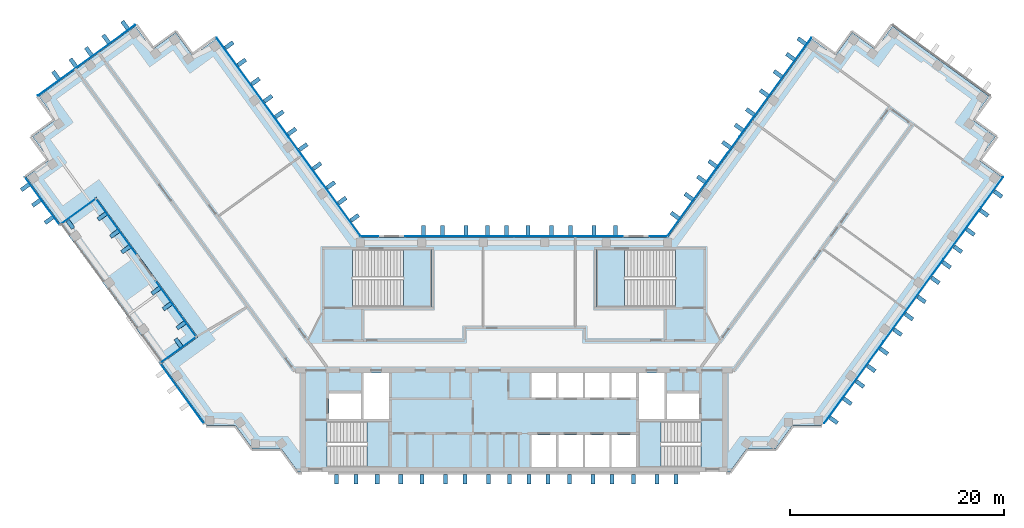
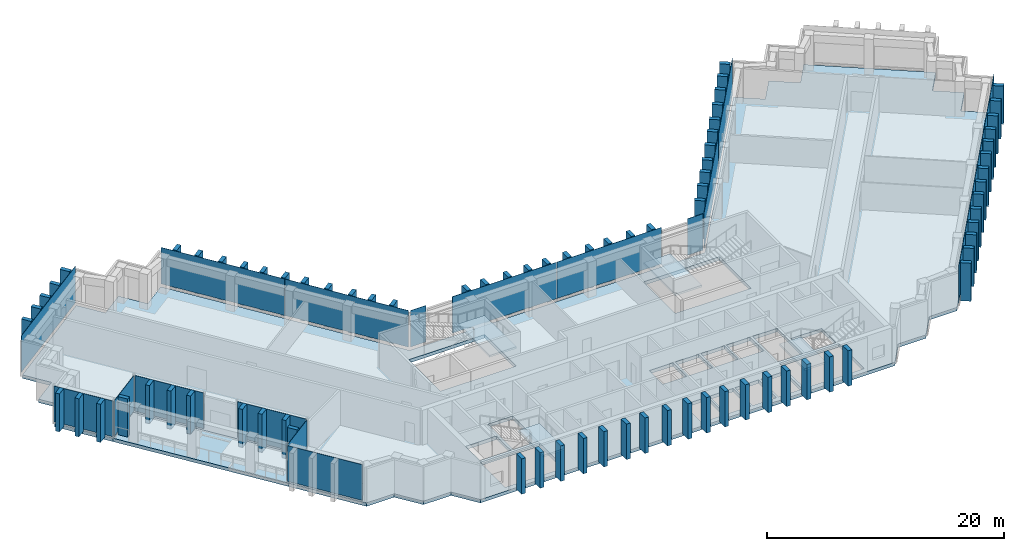
"""IFC4 building model written with IfcOpenShell, lengths in metres."""

from ifc_helpers import new_model, si_unit, direction, frame, origin, origin_2d, place, context, subcontext, project, spatial, polyline, rectangle, outline, extrude, material, layer, layer_set, type_object, element, aggregate, save


model = new_model("IFC4")

# Units and contexts
model_context = context("Model", 3, precision=1e-05, world=origin(), true_north=direction((0.0, 1.0)))
body_context = subcontext(model_context, "Body", "Model", "MODEL_VIEW")
ifc_project = project(units=[si_unit("LENGTHUNIT", "METRE"), si_unit("AREAUNIT", "SQUARE_METRE"), si_unit("VOLUMEUNIT", "CUBIC_METRE"), si_unit("PLANEANGLEUNIT", "RADIAN"), si_unit("MASSUNIT", "GRAM", prefix="KILO")], contexts=[model_context])

# Site, building, storey
site_placement = place(None, origin())
site = spatial("IfcSite", under=ifc_project, at=site_placement, CompositionType="ELEMENT")
building_placement = place(site_placement, origin())
building = spatial("IfcBuilding", under=site, at=building_placement, Name="Quipu Civic Tower", CompositionType="ELEMENT")
storey_1_placement = place(building_placement, frame((0.0, 0.0, 156.0)))
storey_1 = spatial("IfcBuildingStorey", under=building, at=storey_1_placement, Name="L36", CompositionType="ELEMENT", Elevation=156.0)

# Slab
ifc_material_1 = material(Name="Concrete C40/50", Category="concrete")
ifc_layer_1 = layer(ifc_material_1, 0.35009765625)
ifc_layer_set_1 = layer_set([ifc_layer_1], Name="Concrete C40/50")
slab_type_1 = type_object("IfcSlabType", Name="Floor slab 350 C40/50", PredefinedType="FLOOR", material=ifc_layer_set_1)
slab_1_placement = place(storey_1_placement, frame((0.0, 0.0, -0.35009765625)))
element("IfcSlab", 1, at=slab_1_placement, inside=storey_1, type_object=slab_type_1, Name="Floor slab L36", PredefinedType="FLOOR", context=body_context, shape_type="SweptSolid", body=[
    extrude(outline(polyline([(-45.114990234375, 20.445068359375), (-42.929931640625, 22.030029296875), (-44.514892578125, 24.215087890625), (-35.455078125, 30.800048828125), (-33.864990234375, 28.614990234375), (-31.68505859375, 30.199951171875), (-30.094970703125, 28.014892578125), (-27.909912109375, 29.60498046875), (-14.39501953125, 11.0), (14.39501953125, 11.0), (27.909912109375, 29.60498046875), (30.094970703125, 28.014892578125), (31.68505859375, 30.199951171875), (33.864990234375, 28.614990234375), (35.455078125, 30.800048828125), (44.514892578125, 24.215087890625), (42.929931640625, 22.030029296875), (45.114990234375, 20.445068359375), (43.52490234375, 18.260009765625), (45.7099609375, 16.669921875), (28.780029296875, -6.6298828125), (26.080078125, -6.6298828125), (24.489990234375, -8.81494140625), (21.7900390625, -8.81494140625), (20.205078125, -11.0), (-20.205078125, -11.0), (-21.7900390625, -8.81494140625), (-24.489990234375, -8.81494140625), (-26.080078125, -6.6298828125), (-28.780029296875, -6.6298828125), (-33.014892578125, -0.804931640625), (-29.614990234375, 1.6650390625), (-39.139892578125, 14.77001953125), (-42.534912109375, 12.304931640625), (-45.7099609375, 16.669921875), (-43.52490234375, 18.260009765625), (-45.114990234375, 20.445068359375)]), holes=[polyline([(1.64990234375, -7.5), (1.64990234375, -10.5), (3.949951171875, -10.5), (3.949951171875, -7.5), (1.64990234375, -7.5)]), polyline([(4.14990234375, -7.5), (4.14990234375, -10.5), (6.449951171875, -10.5), (6.449951171875, -7.5), (4.14990234375, -7.5)]), polyline([(-11.705078125, -6.2548828125), (-17.4951171875, -6.2548828125), (-17.4951171875, -10.4951171875), (-11.705078125, -10.4951171875), (-11.705078125, -6.2548828125)]), polyline([(-17.35009765625, -3.60009765625), (-17.35009765625, -6.0), (-14.35009765625, -6.0), (-14.35009765625, -3.60009765625), (-17.35009765625, -3.60009765625)]), polyline([(-14.10009765625, -1.699951171875), (-14.10009765625, -6.0), (-11.699951171875, -6.0), (-11.699951171875, -1.699951171875), (-14.10009765625, -1.699951171875)]), polyline([(1.64990234375, -1.699951171875), (1.64990234375, -4.0), (3.949951171875, -4.0), (3.949951171875, -1.699951171875), (1.64990234375, -1.699951171875)]), polyline([(4.14990234375, -1.699951171875), (4.14990234375, -4.0), (6.449951171875, -4.0), (6.449951171875, -1.699951171875), (4.14990234375, -1.699951171875)]), polyline([(-7.7548828125, 9.844970703125), (-15.14501953125, 9.844970703125), (-15.14501953125, 4.5048828125), (-7.7548828125, 4.5048828125), (-7.7548828125, 9.844970703125)]), polyline([(6.64990234375, -7.5), (6.64990234375, -10.5), (8.949951171875, -10.5), (8.949951171875, -7.5), (6.64990234375, -7.5)]), polyline([(9.14990234375, -7.5), (9.14990234375, -10.5), (11.449951171875, -10.5), (11.449951171875, -7.5), (9.14990234375, -7.5)]), polyline([(11.705078125, -10.4951171875), (17.4951171875, -10.4951171875), (17.4951171875, -6.2548828125), (11.705078125, -6.2548828125), (11.705078125, -10.4951171875)]), polyline([(14.35009765625, -3.60009765625), (14.35009765625, -6.0), (17.35009765625, -6.0), (17.35009765625, -3.60009765625), (14.35009765625, -3.60009765625)]), polyline([(11.699951171875, -1.699951171875), (11.699951171875, -6.0), (14.10009765625, -6.0), (14.10009765625, -1.699951171875), (11.699951171875, -1.699951171875)]), polyline([(6.64990234375, -1.699951171875), (6.64990234375, -4.0), (8.949951171875, -4.0), (8.949951171875, -1.699951171875), (6.64990234375, -1.699951171875)]), polyline([(9.14990234375, -1.699951171875), (9.14990234375, -4.0), (11.449951171875, -4.0), (11.449951171875, -1.699951171875), (9.14990234375, -1.699951171875)]), polyline([(7.7548828125, 4.5048828125), (15.14501953125, 4.5048828125), (15.14501953125, 9.844970703125), (7.7548828125, 9.844970703125), (7.7548828125, 4.5048828125)])]), origin(), (0.0, 0.0, 1.0), 0.35009765625),
])

# Curtain wall, plate
ifc_material_2 = material(Name="Insulated glass unit", Category="glass")
curtain_wall_type = type_object("IfcCurtainWallType", Name="Office curtain wall CW1", PredefinedType="NOTDEFINED", material=ifc_material_2)
curtain_wall_1_placement = place(storey_1_placement, origin())
curtain_wall_1 = element("IfcCurtainWall", 2, at=curtain_wall_1_placement, inside=storey_1, type_object=curtain_wall_type, Name="Office curtain wall CW1 L36 run 1", PredefinedType="NOTDEFINED")
ifc_material_3 = material(Name="Insulated glass unit", Category="glass")
ifc_layer_2 = layer(ifc_material_3, 0.028076171875)
ifc_layer_set_2 = layer_set([ifc_layer_2], Name="Insulated glass unit")
plate_type_1 = type_object("IfcPlateType", Name="Glass panel CW1", PredefinedType="CURTAIN_PANEL", material=ifc_layer_set_2)
plate_1_placement = place(storey_1_placement, frame((-44.20361328125, 14.42919921875, 0.240234375), z_axis=(0.0, 0.0, 1.0), x_axis=(0.587793636059, -0.809010903145, 0.0)))
plate_1 = element("IfcPlate", 3, at=plate_1_placement, type_object=plate_type_1, Name="CW1 panel 1.1", PredefinedType="CURTAIN_PANEL", context=body_context, shape_type="SweptSolid", body=[
    extrude(rectangle(XDim=5.43994140625, YDim=0.028076171875, at=origin_2d()), origin(), (0.0, 0.0, 1.0), 3.679931640625),
])
aggregate(curtain_wall_1, [plate_1])

curtain_wall_2_placement = place(storey_1_placement, origin())
curtain_wall_2 = element("IfcCurtainWall", 4, at=curtain_wall_2_placement, inside=storey_1, type_object=curtain_wall_type, Name="Office curtain wall CW1 L36 run 2", PredefinedType="NOTDEFINED")
plate_2_placement = place(storey_1_placement, frame((-40.85888671875, 13.398193359375, 0.240234375), z_axis=(0.0, 0.0, 1.0), x_axis=(0.809019129244, 0.587782313886, 0.0)))
plate_2 = element("IfcPlate", 5, at=plate_2_placement, type_object=plate_type_1, Name="CW1 panel 1.1", PredefinedType="CURTAIN_PANEL", context=body_context, shape_type="SweptSolid", body=[
    extrude(rectangle(XDim=4.0400390625, YDim=0.028076171875, at=origin_2d()), origin(), (0.0, 0.0, 1.0), 3.679931640625),
])
aggregate(curtain_wall_2, [plate_2])

curtain_wall_3_placement = place(storey_1_placement, origin())
curtain_wall_3 = element("IfcCurtainWall", 6, at=curtain_wall_3_placement, inside=storey_1, type_object=curtain_wall_type, Name="Office curtain wall CW1 L36 run 3", PredefinedType="NOTDEFINED")
plate_3_placement = place(storey_1_placement, frame((-37.244140625, 11.995849609375, 0.240234375), z_axis=(0.0, 0.0, 1.0), x_axis=(0.587778491936, -0.809021906018, 0.0)))
plate_3 = element("IfcPlate", 7, at=plate_3_placement, type_object=plate_type_1, Name="CW1 panel 1.1", PredefinedType="CURTAIN_PANEL", context=body_context, shape_type="SweptSolid", body=[
    extrude(rectangle(XDim=6.358642578125, YDim=0.028076171875, at=origin_2d()), origin(), (0.0, 0.0, 1.0), 3.679931640625),
])
aggregate(curtain_wall_3, [plate_3])

curtain_wall_4_placement = place(storey_1_placement, origin())
curtain_wall_4 = element("IfcCurtainWall", 8, at=curtain_wall_4_placement, inside=storey_1, type_object=curtain_wall_type, Name="Office curtain wall CW1 L36 run 5", PredefinedType="NOTDEFINED")
plate_4_placement = place(storey_1_placement, frame((-31.671142578125, 4.324951171875, 0.240234375), z_axis=(0.0, 0.0, 1.0), x_axis=(0.587783041125, -0.809018600878, 0.0)))
plate_4 = element("IfcPlate", 9, at=plate_4_placement, type_object=plate_type_1, Name="CW1 panel 1.1", PredefinedType="CURTAIN_PANEL", context=body_context, shape_type="SweptSolid", body=[
    extrude(rectangle(XDim=6.3583984375, YDim=0.028076171875, at=origin_2d()), origin(), (0.0, 0.0, 1.0), 3.679931640625),
])
aggregate(curtain_wall_4, [plate_4])

curtain_wall_5_placement = place(storey_1_placement, origin())
curtain_wall_5 = element("IfcCurtainWall", 10, at=curtain_wall_5_placement, inside=storey_1, type_object=curtain_wall_type, Name="Office curtain wall CW1 L36 run 6", PredefinedType="NOTDEFINED")
plate_5_placement = place(storey_1_placement, frame((-31.454345703125, 0.453857421875, 0.240234375), z_axis=(0.0, 0.0, 1.0), x_axis=(-0.809019129244, -0.587782313886, 0.0)))
plate_5 = element("IfcPlate", 11, at=plate_5_placement, type_object=plate_type_1, Name="CW1 panel 1.1", PredefinedType="CURTAIN_PANEL", context=body_context, shape_type="SweptSolid", body=[
    extrude(rectangle(XDim=4.0400390625, YDim=0.028076171875, at=origin_2d()), origin(), (0.0, 0.0, 1.0), 3.679931640625),
])
aggregate(curtain_wall_5, [plate_5])

curtain_wall_6_placement = place(storey_1_placement, origin())
curtain_wall_6 = element("IfcCurtainWall", 12, at=curtain_wall_6_placement, inside=storey_1, type_object=curtain_wall_type, Name="Office curtain wall CW1 L36 run 7", PredefinedType="NOTDEFINED")
plate_6_placement = place(storey_1_placement, frame((-31.07958984375, -3.634765625, 0.240234375), z_axis=(0.0, 0.0, 1.0), x_axis=(0.587788218578, -0.809014839234, 0.0)))
plate_6 = element("IfcPlate", 13, at=plate_6_placement, type_object=plate_type_1, Name="CW1 panel 1.1", PredefinedType="CURTAIN_PANEL", context=body_context, shape_type="SweptSolid", body=[
    extrude(rectangle(XDim=6.89599609375, YDim=0.028076171875, at=origin_2d()), origin(), (0.0, 0.0, 1.0), 3.679931640625),
])
aggregate(curtain_wall_6, [plate_6])

# Storey
storey_2_placement = place(building_placement, frame((0.0, 0.0, 160.0)))
storey_2 = spatial("IfcBuildingStorey", under=building, at=storey_2_placement, Name="L37", CompositionType="ELEMENT", Elevation=160.0)

# Curtain wall, plates
curtain_wall_7_placement = place(storey_2_placement, origin())
curtain_wall_7 = element("IfcCurtainWall", 14, at=curtain_wall_7_placement, inside=storey_2, type_object=curtain_wall_type, Name="Office curtain wall CW1 L36 run 10", PredefinedType="NOTDEFINED")
plate_7_placement = place(storey_1_placement, frame((-17.7421875, 15.777099609375, 0.240234375), z_axis=(0.0, 0.0, 1.0), x_axis=(-0.587788727052, 0.809014469803, 0.0)))
plate_7 = element("IfcPlate", 15, at=plate_7_placement, inside=storey_1, type_object=plate_type_1, Name="CW1 panel 1.1", PredefinedType="CURTAIN_PANEL", context=body_context, shape_type="SweptSolid", body=[
    extrude(rectangle(XDim=11.402099609375, YDim=0.028076171875, at=origin_2d()), origin(), (0.0, 0.0, 1.0), 3.760009765625),
])
plate_8_placement = place(storey_1_placement, frame((-24.491455078125, 25.066162109375, 0.240234375), z_axis=(0.0, 0.0, 1.0), x_axis=(-0.587788727052, 0.809014469803, 0.0)))
plate_8 = element("IfcPlate", 16, at=plate_8_placement, inside=storey_1, type_object=plate_type_1, Name="CW1 panel 2.1", PredefinedType="CURTAIN_PANEL", context=body_context, shape_type="SweptSolid", body=[
    extrude(rectangle(XDim=11.402099609375, YDim=0.028076171875, at=origin_2d()), origin(), (0.0, 0.0, 1.0), 3.760009765625),
])
aggregate(curtain_wall_7, [plate_7, plate_8])

# Curtain wall, plate
curtain_wall_8_placement = place(storey_2_placement, origin())
curtain_wall_8 = element("IfcCurtainWall", 17, at=curtain_wall_8_placement, inside=storey_2, type_object=curtain_wall_type, Name="Office curtain wall CW1 L36 run 15", PredefinedType="NOTDEFINED")
plate_9_placement = place(storey_1_placement, frame((-40.04345703125, 27.58740234375, 0.240234375), z_axis=(0.0, 0.0, 1.0), x_axis=(-0.809015176832, -0.587787753918, 0.0)))
plate_9 = element("IfcPlate", 18, at=plate_9_placement, inside=storey_1, type_object=plate_type_1, Name="CW1 panel 1.1", PredefinedType="CURTAIN_PANEL", context=body_context, shape_type="SweptSolid", body=[
    extrude(rectangle(XDim=11.239990234375, YDim=0.028076171875, at=origin_2d()), origin(), (0.0, 0.0, 1.0), 3.760009765625),
])
aggregate(curtain_wall_8, [plate_9])

# Curtain wall, plates
curtain_wall_9_placement = place(storey_2_placement, origin())
curtain_wall_9 = element("IfcCurtainWall", 19, at=curtain_wall_9_placement, inside=storey_2, type_object=curtain_wall_type, Name="Office curtain wall CW1 L36 run 26", PredefinedType="NOTDEFINED")
plate_10_placement = place(storey_1_placement, frame((31.824951171875, -2.60888671875, 0.240234375), z_axis=(0.0, 0.0, 1.0), x_axis=(0.5877856923, 0.80901667469, 0.0)))
plate_10 = element("IfcPlate", 20, at=plate_10_placement, inside=storey_1, type_object=plate_type_1, Name="CW1 panel 1.1", PredefinedType="CURTAIN_PANEL", context=body_context, shape_type="SweptSolid", body=[
    extrude(rectangle(XDim=9.43212890625, YDim=0.028076171875, at=origin_2d()), origin(), (0.0, 0.0, 1.0), 3.760009765625),
])
plate_11_placement = place(storey_1_placement, frame((37.427734375, 5.102783203125, 0.240234375), z_axis=(0.0, 0.0, 1.0), x_axis=(0.5877856923, 0.80901667469, 0.0)))
plate_11 = element("IfcPlate", 21, at=plate_11_placement, inside=storey_1, type_object=plate_type_1, Name="CW1 panel 2.1", PredefinedType="CURTAIN_PANEL", context=body_context, shape_type="SweptSolid", body=[
    extrude(rectangle(XDim=9.471923828125, YDim=0.028076171875, at=origin_2d()), origin(), (0.0, 0.0, 1.0), 3.760009765625),
])
plate_12_placement = place(storey_1_placement, frame((43.030517578125, 12.814208984375, 0.240234375), z_axis=(0.0, 0.0, 1.0), x_axis=(0.5877856923, 0.80901667469, 0.0)))
plate_12 = element("IfcPlate", 22, at=plate_12_placement, inside=storey_1, type_object=plate_type_1, Name="CW1 panel 3.1", PredefinedType="CURTAIN_PANEL", context=body_context, shape_type="SweptSolid", body=[
    extrude(rectangle(XDim=9.43212890625, YDim=0.028076171875, at=origin_2d()), origin(), (0.0, 0.0, 1.0), 3.760009765625),
])
aggregate(curtain_wall_9, [plate_10, plate_11, plate_12])

curtain_wall_10_placement = place(storey_2_placement, origin())
curtain_wall_10 = element("IfcCurtainWall", 23, at=curtain_wall_10_placement, inside=storey_2, type_object=curtain_wall_type, Name="Office curtain wall CW1 L36 run 36", PredefinedType="NOTDEFINED")
plate_13_placement = place(storey_1_placement, frame((24.491455078125, 25.066162109375, 0.240234375), z_axis=(0.0, 0.0, 1.0), x_axis=(-0.587788727052, -0.809014469803, 0.0)))
plate_13 = element("IfcPlate", 24, at=plate_13_placement, inside=storey_1, type_object=plate_type_1, Name="CW1 panel 1.1", PredefinedType="CURTAIN_PANEL", context=body_context, shape_type="SweptSolid", body=[
    extrude(rectangle(XDim=11.402099609375, YDim=0.028076171875, at=origin_2d()), origin(), (0.0, 0.0, 1.0), 3.760009765625),
])
plate_14_placement = place(storey_1_placement, frame((17.7421875, 15.777099609375, 0.240234375), z_axis=(0.0, 0.0, 1.0), x_axis=(-0.587788727052, -0.809014469803, 0.0)))
plate_14 = element("IfcPlate", 25, at=plate_14_placement, inside=storey_1, type_object=plate_type_1, Name="CW1 panel 2.1", PredefinedType="CURTAIN_PANEL", context=body_context, shape_type="SweptSolid", body=[
    extrude(rectangle(XDim=11.402099609375, YDim=0.028076171875, at=origin_2d()), origin(), (0.0, 0.0, 1.0), 3.760009765625),
])
aggregate(curtain_wall_10, [plate_13, plate_14])

# Curtain wall, plate
curtain_wall_11_placement = place(storey_2_placement, origin())
curtain_wall_11 = element("IfcCurtainWall", 26, at=curtain_wall_11_placement, inside=storey_2, type_object=curtain_wall_type, Name="Office curtain wall CW1 L36 run 37", PredefinedType="NOTDEFINED")
plate_15_placement = place(storey_1_placement, frame((13.49951171875, 11.10009765625, 0.240234375), z_axis=(0.0, 0.0, 1.0), x_axis=(-1.0, 0.0, 0.0)))
plate_15 = element("IfcPlate", 27, at=plate_15_placement, inside=storey_1, type_object=plate_type_1, Name="CW1 panel 1.1", PredefinedType="CURTAIN_PANEL", context=body_context, shape_type="SweptSolid", body=[
    extrude(rectangle(XDim=1.529296875, YDim=0.028076171875, at=origin_2d()), origin(), (0.0, 0.0, 1.0), 3.760009765625),
])
aggregate(curtain_wall_11, [plate_15])

# Curtain wall, plates
curtain_wall_12_placement = place(storey_2_placement, origin())
curtain_wall_12 = element("IfcCurtainWall", 28, at=curtain_wall_12_placement, inside=storey_2, type_object=curtain_wall_type, Name="Office curtain wall CW1 L36 run 39", PredefinedType="NOTDEFINED")
plate_16_placement = place(storey_1_placement, frame((5.11181640625, 11.10009765625, 0.240234375), z_axis=(0.0, 0.0, 1.0), x_axis=(-1.0, 0.0, 0.0)))
plate_16 = element("IfcPlate", 29, at=plate_16_placement, inside=storey_1, type_object=plate_type_1, Name="CW1 panel 1.1", PredefinedType="CURTAIN_PANEL", context=body_context, shape_type="SweptSolid", body=[
    extrude(rectangle(XDim=10.1435546875, YDim=0.028076171875, at=origin_2d()), origin(), (0.0, 0.0, 1.0), 3.760009765625),
])
plate_17_placement = place(storey_1_placement, frame((-5.11181640625, 11.10009765625, 0.240234375), z_axis=(0.0, 0.0, 1.0), x_axis=(-1.0, 0.0, 0.0)))
plate_17 = element("IfcPlate", 30, at=plate_17_placement, inside=storey_1, type_object=plate_type_1, Name="CW1 panel 2.1", PredefinedType="CURTAIN_PANEL", context=body_context, shape_type="SweptSolid", body=[
    extrude(rectangle(XDim=10.1435546875, YDim=0.028076171875, at=origin_2d()), origin(), (0.0, 0.0, 1.0), 3.760009765625),
])
aggregate(curtain_wall_12, [plate_16, plate_17])

# Curtain wall, plate
curtain_wall_13_placement = place(storey_2_placement, origin())
curtain_wall_13 = element("IfcCurtainWall", 31, at=curtain_wall_13_placement, inside=storey_2, type_object=curtain_wall_type, Name="Office curtain wall CW1 L36 run 41", PredefinedType="NOTDEFINED")
plate_18_placement = place(storey_1_placement, frame((-13.49951171875, 11.10009765625, 0.240234375), z_axis=(0.0, 0.0, 1.0), x_axis=(-1.0, 0.0, 0.0)))
plate_18 = element("IfcPlate", 32, at=plate_18_placement, inside=storey_1, type_object=plate_type_1, Name="CW1 panel 1.1", PredefinedType="CURTAIN_PANEL", context=body_context, shape_type="SweptSolid", body=[
    extrude(rectangle(XDim=1.529296875, YDim=0.028076171875, at=origin_2d()), origin(), (0.0, 0.0, 1.0), 3.760009765625),
])
aggregate(curtain_wall_13, [plate_18])

# Plates
ifc_material_4 = material(Name="Precast concrete C40/50", Category="concrete")
plate_type_2 = type_object("IfcPlateType", Name="Precast fin F2", PredefinedType="SHEET", material=ifc_material_4)
for number, where, z_axis, x_axis, name in (
    (33, (-45.80078125, 15.69140625, 0.080078125), (0.0, 0.0, 1.0), (0.587788441518, -0.809014677257, 0.0), "Precast fin F2 L36.1.1"),
    (34, (-44.74267578125, 14.2353515625, 0.080078125), (0.0, 0.0, 1.0), (0.587788441518, -0.809014677257, 0.0), "Precast fin F2 L36.1.2"),
    (35, (-43.567138671875, 12.6171875, 0.080078125), (0.0, 0.0, 1.0), (0.587788441518, -0.809014677257, 0.0), "Precast fin F2 L36.1.3"),
    (36, (-41.55517578125, 12.212646484375, 0.080078125), (0.0, 0.0, 1.0), (0.809019129244, 0.587782313886, 0.0), "Precast fin F2 L36.2.1"),
    (37, (-38.611572265625, 12.942138671875, 0.080078125), (0.0, 0.0, 1.0), (0.587783675566, -0.809018139931, 0.0), "Precast fin F2 L36.3.1"),
    (38, (-37.43603515625, 11.323974609375, 0.080078125), (0.0, 0.0, 1.0), (0.587783675566, -0.809018139931, 0.0), "Precast fin F2 L36.3.2"),
    (39, (-36.3779296875, 9.867919921875, 0.080078125), (0.0, 0.0, 1.0), (0.587783675566, -0.809018139931, 0.0), "Precast fin F2 L36.3.3"),
    (40, (-33.556640625, 5.984375, 0.080078125), (0.0, 0.0, 1.0), (0.587783675566, -0.809018139931, 0.0), "Precast fin F2 L36.5.1"),
    (41, (-32.49853515625, 4.5283203125, 0.080078125), (0.0, 0.0, 1.0), (0.587783675566, -0.809018139931, 0.0), "Precast fin F2 L36.5.2"),
    (42, (-31.20556640625, 2.748291015625, 0.080078125), (0.0, 0.0, 1.0), (0.587783675566, -0.809018139931, 0.0), "Precast fin F2 L36.5.3"),
    (43, (-31.446044921875, 1.139892578125, 0.080078125), (0.0, 0.0, 1.0), (-0.809019129244, -0.587782313886, 0.0), "Precast fin F2 L36.6.1"),
    (44, (-14.92138671875, 12.830078125, 0.080078125), (0.0, 0.0, 1.0), (-0.587787133119, 0.809015627871, 0.0), "Precast fin F2 L36.10.1"),
    (45, (-16.09716796875, 14.4482421875, 0.080078125), (0.0, 0.0, 1.0), (-0.587787133119, 0.809015627871, 0.0), "Precast fin F2 L36.10.2"),
    (46, (-17.155029296875, 15.904541015625, 0.080078125), (0.0, 0.0, 1.0), (-0.587787133119, 0.809015627871, 0.0), "Precast fin F2 L36.10.3"),
    (47, (-18.4482421875, 17.684326171875, 0.080078125), (0.0, 0.0, 1.0), (-0.587787133119, 0.809015627871, 0.0), "Precast fin F2 L36.10.4"),
    (48, (-19.741455078125, 19.464111328125, 0.080078125), (0.0, 0.0, 1.0), (-0.587787133119, 0.809015627871, 0.0), "Precast fin F2 L36.10.5"),
    (49, (-20.79931640625, 20.92041015625, 0.080078125), (0.0, 0.0, 1.0), (-0.587787133119, 0.809015627871, 0.0), "Precast fin F2 L36.10.6"),
    (50, (-21.974853515625, 22.538330078125, 0.080078125), (0.0, 0.0, 1.0), (-0.587787133119, 0.809015627871, 0.0), "Precast fin F2 L36.10.7"),
    (51, (-23.032958984375, 23.99462890625, 0.080078125), (0.0, 0.0, 1.0), (-0.587787133119, 0.809015627871, 0.0), "Precast fin F2 L36.10.8"),
    (52, (-24.20849609375, 25.612548828125, 0.080078125), (0.0, 0.0, 1.0), (-0.587787133119, 0.809015627871, 0.0), "Precast fin F2 L36.10.9"),
    (53, (-25.501708984375, 27.392578125, 0.080078125), (0.0, 0.0, 1.0), (-0.587787133119, 0.809015627871, 0.0), "Precast fin F2 L36.10.10"),
    (54, (-26.67724609375, 29.010498046875, 0.080078125), (0.0, 0.0, 1.0), (-0.587787133119, 0.809015627871, 0.0), "Precast fin F2 L36.10.11"),
    (55, (-36.434814453125, 30.88916015625, 0.080078125), (0.0, 0.0, 1.0), (-0.809017072762, -0.587785144401, 0.0), "Precast fin F2 L36.15.1"),
    (56, (-38.21484375, 29.595947265625, 0.080078125), (0.0, 0.0, 1.0), (-0.809017072762, -0.587785144401, 0.0), "Precast fin F2 L36.15.2"),
    (57, (-39.832763671875, 28.42041015625, 0.080078125), (0.0, 0.0, 1.0), (-0.809017072762, -0.587785144401, 0.0), "Precast fin F2 L36.15.3"),
    (58, (-41.2890625, 27.3623046875, 0.080078125), (0.0, 0.0, 1.0), (-0.809017072762, -0.587785144401, 0.0), "Precast fin F2 L36.15.4"),
    (59, (-42.906982421875, 26.186767578125, 0.080078125), (0.0, 0.0, 1.0), (-0.809017072762, -0.587785144401, 0.0), "Precast fin F2 L36.15.5"),
):
    element("IfcPlate", number, at=place(storey_1_placement, frame(where, z_axis=z_axis, x_axis=x_axis)), inside=storey_1, type_object=plate_type_2, Name=name, PredefinedType="SHEET", context=body_context, shape_type="SweptSolid", body=[
        extrude(rectangle(XDim=0.3798828125, YDim=0.89990234375, at=origin_2d()), origin(), (0.0, 0.0, 1.0), 3.919921875),
    ])
for number, where, z_axis, x_axis, name in (
    (60, (-16.610107421875, -11.637939453125, 0.0), (0.0, 0.0, 1.0), (1.0, 0.0, 0.0), "Precast fin F2 L36.20.1"),
    (61, (-14.81005859375, -11.637939453125, 0.0), (0.0, 0.0, 1.0), (1.0, 0.0, 0.0), "Precast fin F2 L36.20.2"),
    (62, (-12.81005859375, -11.637939453125, 0.0), (0.0, 0.0, 1.0), (1.0, 0.0, 0.0), "Precast fin F2 L36.20.3"),
    (63, (-10.610107421875, -11.637939453125, 0.0), (0.0, 0.0, 1.0), (1.0, 0.0, 0.0), "Precast fin F2 L36.20.4"),
    (64, (-8.610107421875, -11.637939453125, 0.0), (0.0, 0.0, 1.0), (1.0, 0.0, 0.0), "Precast fin F2 L36.20.5"),
    (65, (-6.409912109375, -11.637939453125, 0.0), (0.0, 0.0, 1.0), (1.0, 0.0, 0.0), "Precast fin F2 L36.20.6"),
    (66, (-4.610107421875, -11.637939453125, 0.0), (0.0, 0.0, 1.0), (1.0, 0.0, 0.0), "Precast fin F2 L36.20.7"),
    (67, (-2.409912109375, -11.637939453125, 0.0), (0.0, 0.0, 1.0), (1.0, 0.0, 0.0), "Precast fin F2 L36.20.8"),
    (68, (-0.409912109375, -11.637939453125, 0.0), (0.0, 0.0, 1.0), (1.0, 0.0, 0.0), "Precast fin F2 L36.20.9"),
    (69, (1.389892578125, -11.637939453125, 0.0), (0.0, 0.0, 1.0), (1.0, 0.0, 0.0), "Precast fin F2 L36.20.10"),
    (70, (3.18994140625, -11.637939453125, 0.0), (0.0, 0.0, 1.0), (1.0, 0.0, 0.0), "Precast fin F2 L36.20.11"),
    (71, (5.18994140625, -11.637939453125, 0.0), (0.0, 0.0, 1.0), (1.0, 0.0, 0.0), "Precast fin F2 L36.20.12"),
    (72, (7.389892578125, -11.637939453125, 0.0), (0.0, 0.0, 1.0), (1.0, 0.0, 0.0), "Precast fin F2 L36.20.13"),
    (73, (9.18994140625, -11.637939453125, 0.0), (0.0, 0.0, 1.0), (1.0, 0.0, 0.0), "Precast fin F2 L36.20.14"),
    (74, (11.18994140625, -11.637939453125, 0.0), (0.0, 0.0, 1.0), (1.0, 0.0, 0.0), "Precast fin F2 L36.20.15"),
    (75, (13.389892578125, -11.637939453125, 0.0), (0.0, 0.0, 1.0), (1.0, 0.0, 0.0), "Precast fin F2 L36.20.16"),
    (76, (15.18994140625, -11.637939453125, 0.0), (0.0, 0.0, 1.0), (1.0, 0.0, 0.0), "Precast fin F2 L36.20.17"),
):
    element("IfcPlate", number, at=place(storey_1_placement, frame(where, z_axis=z_axis, x_axis=x_axis)), inside=storey_1, type_object=plate_type_2, Name=name, PredefinedType="SHEET", context=body_context, shape_type="SweptSolid", body=[
        extrude(rectangle(XDim=0.3798828125, YDim=0.89990234375, at=origin_2d()), origin(), (0.0, 0.0, 1.0), 3.64990234375),
    ])
for number, where, z_axis, x_axis, name in (
    (77, (29.944091796875, -6.133056640625, 0.080078125), (0.0, 0.0, 1.0), (0.587785620359, 0.809016726959, 0.0), "Precast fin F2 L36.26.1"),
    (78, (31.2373046875, -4.353271484375, 0.080078125), (0.0, 0.0, 1.0), (0.587785620359, 0.809016726959, 0.0), "Precast fin F2 L36.26.2"),
    (79, (32.412841796875, -2.7353515625, 0.080078125), (0.0, 0.0, 1.0), (0.587785620359, 0.809016726959, 0.0), "Precast fin F2 L36.26.3"),
    (80, (33.470947265625, -1.279052734375, 0.080078125), (0.0, 0.0, 1.0), (0.587785620359, 0.809016726959, 0.0), "Precast fin F2 L36.26.4"),
    (81, (34.646484375, 0.339111328125, 0.080078125), (0.0, 0.0, 1.0), (0.587785620359, 0.809016726959, 0.0), "Precast fin F2 L36.26.5"),
    (82, (35.939697265625, 2.118896484375, 0.080078125), (0.0, 0.0, 1.0), (0.587785620359, 0.809016726959, 0.0), "Precast fin F2 L36.26.6"),
    (83, (36.99755859375, 3.5751953125, 0.080078125), (0.0, 0.0, 1.0), (0.587785620359, 0.809016726959, 0.0), "Precast fin F2 L36.26.7"),
    (84, (38.173095703125, 5.193115234375, 0.080078125), (0.0, 0.0, 1.0), (0.587785620359, 0.809016726959, 0.0), "Precast fin F2 L36.26.8"),
    (85, (39.46630859375, 6.972900390625, 0.080078125), (0.0, 0.0, 1.0), (0.587785620359, 0.809016726959, 0.0), "Precast fin F2 L36.26.9"),
    (86, (40.5244140625, 8.42919921875, 0.080078125), (0.0, 0.0, 1.0), (0.587785620359, 0.809016726959, 0.0), "Precast fin F2 L36.26.10"),
    (87, (41.582275390625, 9.885498046875, 0.080078125), (0.0, 0.0, 1.0), (0.587785620359, 0.809016726959, 0.0), "Precast fin F2 L36.26.11"),
    (88, (42.7578125, 11.50341796875, 0.080078125), (0.0, 0.0, 1.0), (0.587785620359, 0.809016726959, 0.0), "Precast fin F2 L36.26.12"),
    (89, (44.051025390625, 13.283203125, 0.080078125), (0.0, 0.0, 1.0), (0.587785620359, 0.809016726959, 0.0), "Precast fin F2 L36.26.13"),
    (90, (45.34423828125, 15.063232421875, 0.080078125), (0.0, 0.0, 1.0), (0.587785620359, 0.809016726959, 0.0), "Precast fin F2 L36.26.14"),
    (91, (26.95068359375, 29.386962890625, 0.080078125), (0.0, 0.0, 1.0), (-0.587787133119, -0.809015627871, 0.0), "Precast fin F2 L36.36.1"),
    (92, (25.892578125, 27.9306640625, 0.080078125), (0.0, 0.0, 1.0), (-0.587787133119, -0.809015627871, 0.0), "Precast fin F2 L36.36.2"),
    (93, (24.717041015625, 26.312744140625, 0.080078125), (0.0, 0.0, 1.0), (-0.587787133119, -0.809015627871, 0.0), "Precast fin F2 L36.36.3"),
    (94, (23.424072265625, 24.53271484375, 0.080078125), (0.0, 0.0, 1.0), (-0.587787133119, -0.809015627871, 0.0), "Precast fin F2 L36.36.4"),
    (95, (22.130859375, 22.7529296875, 0.080078125), (0.0, 0.0, 1.0), (-0.587787133119, -0.809015627871, 0.0), "Precast fin F2 L36.36.5"),
    (96, (21.07275390625, 21.296630859375, 0.080078125), (0.0, 0.0, 1.0), (-0.587787133119, -0.809015627871, 0.0), "Precast fin F2 L36.36.6"),
    (97, (19.897216796875, 19.6787109375, 0.080078125), (0.0, 0.0, 1.0), (-0.587787133119, -0.809015627871, 0.0), "Precast fin F2 L36.36.7"),
    (98, (18.60400390625, 17.89892578125, 0.080078125), (0.0, 0.0, 1.0), (-0.587787133119, -0.809015627871, 0.0), "Precast fin F2 L36.36.8"),
    (99, (17.546142578125, 16.442626953125, 0.080078125), (0.0, 0.0, 1.0), (-0.587787133119, -0.809015627871, 0.0), "Precast fin F2 L36.36.9"),
    (100, (16.37060546875, 14.82470703125, 0.080078125), (0.0, 0.0, 1.0), (-0.587787133119, -0.809015627871, 0.0), "Precast fin F2 L36.36.10"),
    (101, (15.077392578125, 13.044677734375, 0.080078125), (0.0, 0.0, 1.0), (-0.587787133119, -0.809015627871, 0.0), "Precast fin F2 L36.36.11"),
    (102, (9.510009765625, 11.64990234375, 0.080078125), (0.0, 0.0, 1.0), (-1.0, 0.0, 0.0), "Precast fin F2 L36.39.1"),
    (103, (7.510009765625, 11.64990234375, 0.080078125), (0.0, 0.0, 1.0), (-1.0, 0.0, 0.0), "Precast fin F2 L36.39.2"),
    (104, (5.31005859375, 11.64990234375, 0.080078125), (0.0, 0.0, 1.0), (-1.0, 0.0, 0.0), "Precast fin F2 L36.39.3"),
    (105, (3.510009765625, 11.64990234375, 0.080078125), (0.0, 0.0, 1.0), (-1.0, 0.0, 0.0), "Precast fin F2 L36.39.4"),
    (106, (1.31005859375, 11.64990234375, 0.080078125), (0.0, 0.0, 1.0), (-1.0, 0.0, 0.0), "Precast fin F2 L36.39.5"),
    (107, (-0.68994140625, 11.64990234375, 0.080078125), (0.0, 0.0, 1.0), (-1.0, 0.0, 0.0), "Precast fin F2 L36.39.6"),
    (108, (-2.489990234375, 11.64990234375, 0.080078125), (0.0, 0.0, 1.0), (-1.0, 0.0, 0.0), "Precast fin F2 L36.39.7"),
    (109, (-4.489990234375, 11.64990234375, 0.080078125), (0.0, 0.0, 1.0), (-1.0, 0.0, 0.0), "Precast fin F2 L36.39.8"),
    (110, (-6.68994140625, 11.64990234375, 0.080078125), (0.0, 0.0, 1.0), (-1.0, 0.0, 0.0), "Precast fin F2 L36.39.9"),
    (111, (-8.489990234375, 11.64990234375, 0.080078125), (0.0, 0.0, 1.0), (-1.0, 0.0, 0.0), "Precast fin F2 L36.39.10"),
):
    element("IfcPlate", number, at=place(storey_1_placement, frame(where, z_axis=z_axis, x_axis=x_axis)), inside=storey_1, type_object=plate_type_2, Name=name, PredefinedType="SHEET", context=body_context, shape_type="SweptSolid", body=[
        extrude(rectangle(XDim=0.3798828125, YDim=0.89990234375, at=origin_2d()), origin(), (0.0, 0.0, 1.0), 3.919921875),
    ])

# Stair, slab
ifc_material_5 = material(Name="Concrete C40/50", Category="concrete")
stair_type_1 = type_object("IfcStairType", Name="Half turn stair 2000", PredefinedType="HALF_TURN_STAIR", material=ifc_material_5)
stair_1_placement = place(storey_1_placement, origin())
stair_1 = element("IfcStair", 112, at=stair_1_placement, inside=storey_1, type_object=stair_type_1, Name="Exit stair 1", PredefinedType="HALF_TURN_STAIR")
ifc_material_6 = material(Name="Concrete C40/50", Category="concrete")
ifc_layer_3 = layer(ifc_material_6, 0.199951171875)
ifc_layer_set_3 = layer_set([ifc_layer_3], Name="Concrete C40/50")
slab_type_2 = type_object("IfcSlabType", Name="Stair landing 200", PredefinedType="LANDING", material=ifc_layer_set_3)
slab_2_placement = place(storey_1_placement, frame((0.0, 0.0, 1.800048828125)))
slab_2 = element("IfcSlab", 113, at=slab_2_placement, type_object=slab_type_2, Name="ST-1 landing 1", PredefinedType="LANDING", context=body_context, shape_type="SweptSolid", body=[
    extrude(outline(polyline([(-13.780029296875, -10.5), (-11.699951171875, -10.5), (-11.699951171875, -6.25), (-13.780029296875, -6.25), (-13.780029296875, -10.5)])), origin(), (0.0, 0.0, 1.0), 0.199951171875),
])
aggregate(stair_1, [slab_2])

stair_2_placement = place(storey_1_placement, origin())
stair_2 = element("IfcStair", 114, at=stair_2_placement, inside=storey_1, type_object=stair_type_1, Name="Exit stair 2", PredefinedType="HALF_TURN_STAIR")
slab_3_placement = place(storey_1_placement, frame((0.0, 0.0, 1.800048828125)))
slab_3 = element("IfcSlab", 115, at=slab_3_placement, type_object=slab_type_2, Name="ST-2 landing 1", PredefinedType="LANDING", context=body_context, shape_type="SweptSolid", body=[
    extrude(outline(polyline([(13.780029296875, -6.25), (11.699951171875, -6.25), (11.699951171875, -10.5), (13.780029296875, -10.5), (13.780029296875, -6.25)])), origin(), (0.0, 0.0, 1.0), 0.199951171875),
])
aggregate(stair_2, [slab_3])

ifc_material_7 = material(Name="Concrete C40/50", Category="concrete")
stair_type_2 = type_object("IfcStairType", Name="Half turn stair 2600", PredefinedType="HALF_TURN_STAIR", material=ifc_material_7)
stair_3_placement = place(storey_1_placement, origin())
stair_3 = element("IfcStair", 116, at=stair_3_placement, inside=storey_1, type_object=stair_type_2, Name="Exit stair 3", PredefinedType="HALF_TURN_STAIR")
slab_4_placement = place(storey_1_placement, frame((0.0, 0.0, 1.800048828125)))
slab_4 = element("IfcSlab", 117, at=slab_4_placement, type_object=slab_type_2, Name="ST-3 landing 1", PredefinedType="LANDING", context=body_context, shape_type="SweptSolid", body=[
    extrude(outline(polyline([(-10.35009765625, 4.5), (-7.75, 4.5), (-7.75, 9.85009765625), (-10.35009765625, 9.85009765625), (-10.35009765625, 4.5)])), origin(), (0.0, 0.0, 1.0), 0.199951171875),
])
aggregate(stair_3, [slab_4])

stair_4_placement = place(storey_1_placement, origin())
stair_4 = element("IfcStair", 118, at=stair_4_placement, inside=storey_1, type_object=stair_type_2, Name="Exit stair 4", PredefinedType="HALF_TURN_STAIR")
slab_5_placement = place(storey_1_placement, frame((0.0, 0.0, 1.800048828125)))
slab_5 = element("IfcSlab", 119, at=slab_5_placement, type_object=slab_type_2, Name="ST-4 landing 1", PredefinedType="LANDING", context=body_context, shape_type="SweptSolid", body=[
    extrude(outline(polyline([(10.35009765625, 9.85009765625), (7.75, 9.85009765625), (7.75, 4.5), (10.35009765625, 4.5), (10.35009765625, 9.85009765625)])), origin(), (0.0, 0.0, 1.0), 0.199951171875),
])
aggregate(stair_4, [slab_5])

# Slab
ifc_material_8 = material(Name="Concrete C40/50", Category="concrete")
ifc_layer_4 = layer(ifc_material_8, 0.35009765625)
ifc_layer_set_4 = layer_set([ifc_layer_4], Name="Concrete C40/50")
slab_type_3 = type_object("IfcSlabType", Name="Terrace slab 350 C40/50", PredefinedType="FLOOR", material=ifc_layer_set_4)
slab_6_placement = place(storey_1_placement, frame((0.0, 0.0, -0.35009765625)))
element("IfcSlab", 120, at=slab_6_placement, inside=storey_1, type_object=slab_type_3, Name="Terrace slab L36", PredefinedType="FLOOR", context=body_context, shape_type="SweptSolid", body=[
    extrude(outline(polyline([(-39.139892578125, 14.77001953125), (-29.614990234375, 1.6650390625), (-33.014892578125, -0.804931640625), (-42.534912109375, 12.304931640625), (-39.139892578125, 14.77001953125)])), origin(), (0.0, 0.0, 1.0), 0.35009765625),
])

save(model, "model.ifc")
